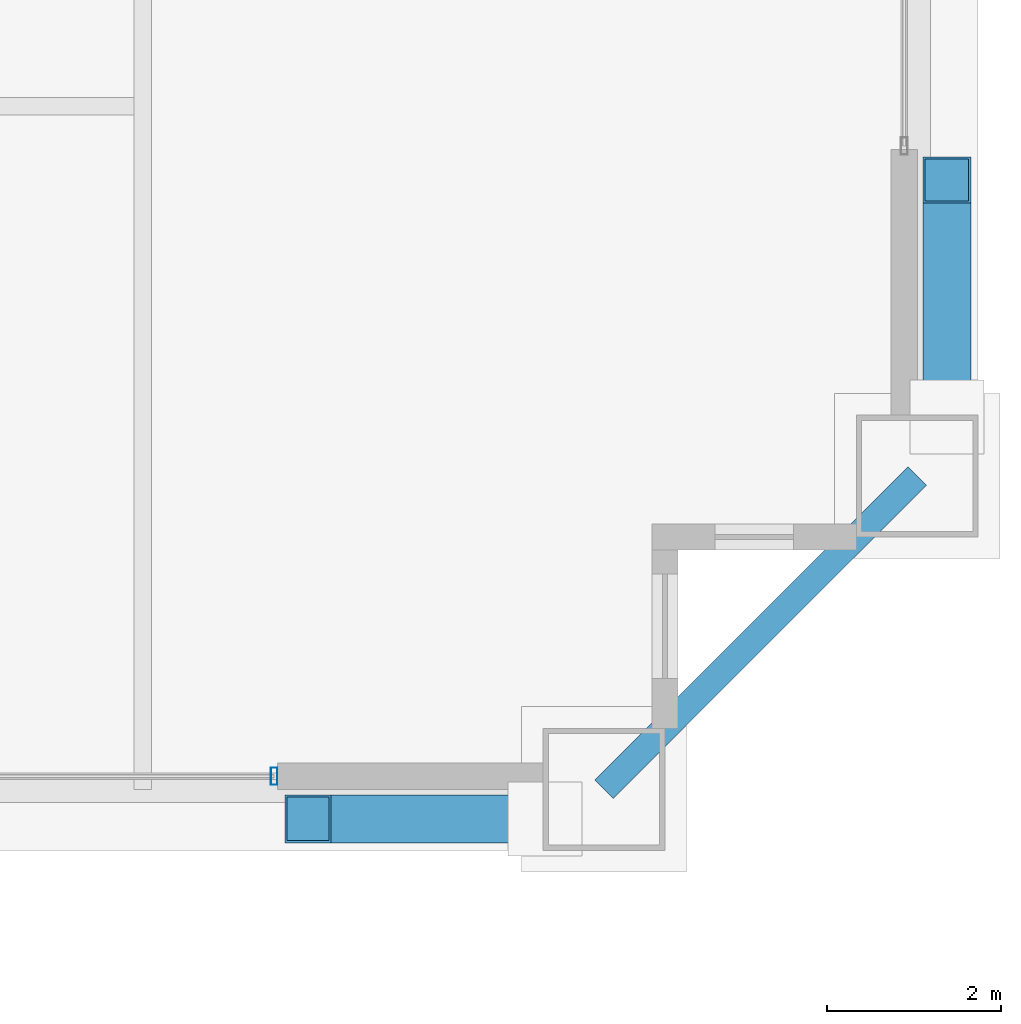
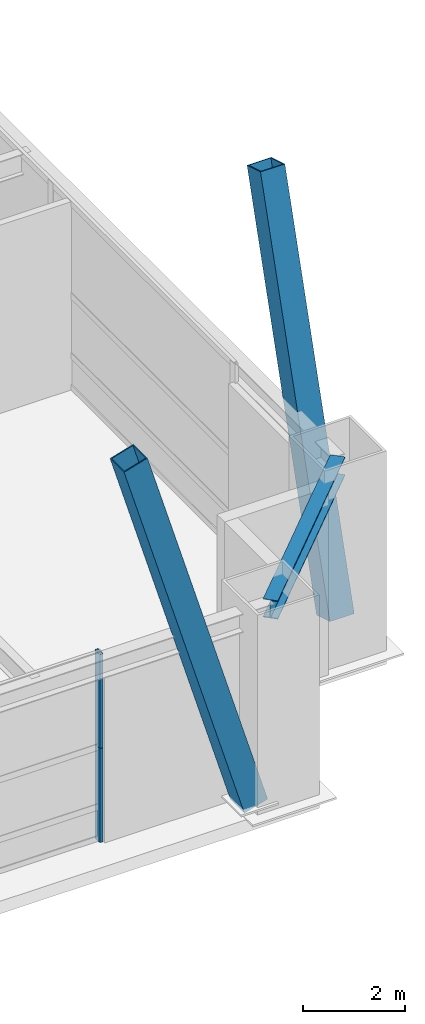
# One storey, part 14 of 34: 4 members, 1 beam, 1 element without a shape of its own.
"""IFC4 building model written with IfcOpenShell, lengths in metres."""

from ifc_helpers import new_model, si_unit, direction, frame, origin, origin_2d, place, context, subcontext, project, spatial, hollow_rectangle, i_section, extrude, source, transform, mapped, material, layer, layer_set, material_profile, profile_set, type_object, element, aggregate, save


model = new_model("IFC4")

# Units and contexts
model_context = context("Model", 3, precision=1e-05, world=origin(), true_north=direction((0.0, 1.0)))
body_context = subcontext(model_context, "Body", "Model", "MODEL_VIEW")
ifc_project = project(units=[si_unit("LENGTHUNIT", "METRE"), si_unit("AREAUNIT", "SQUARE_METRE"), si_unit("VOLUMEUNIT", "CUBIC_METRE"), si_unit("PLANEANGLEUNIT", "RADIAN"), si_unit("MASSUNIT", "GRAM", prefix="KILO"), si_unit("THERMODYNAMICTEMPERATUREUNIT", "KELVIN"), si_unit("POWERUNIT", "WATT")], contexts=[model_context])

# Site, building, storey
site_placement = place(None, origin())
site = spatial("IfcSite", under=ifc_project, at=site_placement, CompositionType="ELEMENT")
building_placement = place(site_placement, origin())
building = spatial("IfcBuilding", under=site, at=building_placement, Name="Yuzanri Waterfront Tower", CompositionType="ELEMENT")
storey_placement = place(building_placement, frame((0.0, 0.0, 166.800048828125)))
storey = spatial("IfcBuildingStorey", under=building, at=storey_placement, Name="L44", CompositionType="ELEMENT", Elevation=166.800048828125)

# Beam
ifc_material_1 = material(Name="Steel Q355B", Category="steel")
ifc_material_profile_1 = material_profile(ifc_material_1, i_section(OverallWidth=0.300048828125, OverallDepth=0.43994140625, WebThickness=0.010986328125, FlangeThickness=0.01806640625, at=origin_2d()), Name="HM 440x300x11x18")
ifc_profile_set_1 = profile_set([ifc_material_profile_1], Name="Steel Q355B")
beam_type = type_object("IfcBeamType", Name="Perimeter Spandrel Q355B HM 440x300", PredefinedType="SPANDREL", material=ifc_profile_set_1)
shared_shape_1 = source(origin(), body_context, "Body", "SweptSolid", [
    extrude(i_section(OverallWidth=0.300048828125, OverallDepth=0.43994140625, WebThickness=0.010986328125, FlangeThickness=0.01806640625, at=origin_2d()), origin(), (0.0, 0.0, 1.0), 5.09130859375),
])
beam_placement = place(storey_placement, frame((55.5, 3.699951171875, 4.280029296875), z_axis=(0.707106781187, 0.707106781187, 0.0), x_axis=(-0.707106781187, 0.707106781187, 0.0)))
element("IfcBeam", 1, at=beam_placement, inside=storey, type_object=beam_type, Name="L44 Perimeter Spandrel S3-E1", PredefinedType="SPANDREL", context=body_context, shape_type="MappedRepresentation", body=[
    mapped(shared_shape_1, transform((0.0, 0.0, 0.0), scale=1.0)),
])

# Members
ifc_material_2 = material(Name="Steel Q390GJC", Category="steel")
ifc_material_profile_2 = material_profile(ifc_material_2, hollow_rectangle(XDim=0.550048828125, YDim=0.550048828125, WallThickness=0.02490234375, at=origin_2d()), Name="RHS 550x550x25")
ifc_profile_set_2 = profile_set([ifc_material_profile_2], Name="Steel Q390GJC")
member_type_1 = type_object("IfcMemberType", Name="Mega Brace Mid Q390GJC RHS 550x550x25", PredefinedType="BRACE", material=ifc_profile_set_2)
shared_shape_2 = source(origin(), body_context, "Body", "SweptSolid", [
    extrude(hollow_rectangle(XDim=0.550048828125, YDim=0.550048828125, WallThickness=0.02490234375, at=origin_2d()), origin(), (0.0, 0.0, 1.0), 9.497802734375),
])
for number, where, z_axis, x_axis, name in (
    (2, (54.820068359375, 3.360107421875, 0.179931640625), (-0.286376146952, 0.0, 0.958117269679), (0.0, -1.0, 0.0), "L44-L45 Perimeter Mega-Brace S-R"),
    (3, (59.43994140625, 7.97998046875, 0.179931640625), (0.0, 0.286376146952, 0.958117269679), (-1.0, 0.0, 0.0), "L44-L45 Perimeter Mega-Brace E-L"),
):
    element("IfcMember", number, at=place(storey_placement, frame(where, z_axis=z_axis, x_axis=x_axis)), inside=storey, type_object=member_type_1, Name=name, PredefinedType="BRACE", context=body_context, shape_type="MappedRepresentation", body=[
        mapped(shared_shape_2, transform((0.0, 0.0, 0.0), scale=1.0)),
    ])

# Curtain wall, members
ifc_material_3 = material(Name="Anodized Architectural Bronze", Category="metal")
ifc_layer = layer(ifc_material_3, 0.159912109375)
ifc_layer_set = layer_set([ifc_layer], Name="Anodized Architectural Bronze")
curtain_wall_type = type_object("IfcCurtainWallType", Name="Anodized Bronze Sky-Lobby Triple-Glazed Feature Curtain Wall 7500", PredefinedType="NOTDEFINED", material=ifc_layer_set)
curtain_wall_placement = place(storey_placement, origin())
curtain_wall = element("IfcCurtainWall", 4, at=curtain_wall_placement, inside=storey, type_object=curtain_wall_type, Name="L44 Curtain Wall CW-L44-SR", PredefinedType="NOTDEFINED")
ifc_material_4 = material(Name="Anodized Architectural Bronze", Category="metal")
ifc_material_profile_3 = material_profile(ifc_material_4, hollow_rectangle(XDim=0.074951171875, YDim=0.199951171875, WallThickness=0.00390625, at=origin_2d()), Name="CWM 75x200")
ifc_profile_set_3 = profile_set([ifc_material_profile_3], Name="Anodized Architectural Bronze")
member_type_2 = type_object("IfcMemberType", Name="Anodized Bronze Primary Curtain-Wall Mullion 75x200", PredefinedType="MULLION", material=ifc_profile_set_3)
shared_shape_3 = source(origin(), body_context, "Body", "SweptSolid", [
    extrude(hollow_rectangle(XDim=0.074951171875, YDim=0.199951171875, WallThickness=0.00390625, at=origin_2d()), origin(), (0.0, 0.0, 1.0), 2.248046875),
])
member_1_placement = place(storey_placement, frame((51.7099609375, 3.85009765625, 0.0), z_axis=(0.0, 0.0, 1.0), x_axis=(1.0, 0.0, 0.0)))
member_1 = element("IfcMember", 5, at=member_1_placement, type_object=member_type_2, Name="CW-L44-SR Lower Mullion 02", PredefinedType="MULLION", context=body_context, shape_type="MappedRepresentation", body=[
    mapped(shared_shape_3, transform((0.0, 0.0, 0.0), scale=1.0)),
])
member_2_placement = place(storey_placement, frame((51.7099609375, 3.85009765625, 2.251953125), z_axis=(0.0, 0.0, 1.0), x_axis=(1.0, 0.0, 0.0)))
member_2 = element("IfcMember", 6, at=member_2_placement, type_object=member_type_2, Name="CW-L44-SR Upper Mullion 02", PredefinedType="MULLION", context=body_context, shape_type="MappedRepresentation", body=[
    mapped(shared_shape_3, transform((0.0, 0.0, 0.0), scale=1.0)),
])
aggregate(curtain_wall, [member_1, member_2])

save(model, "model.ifc")
